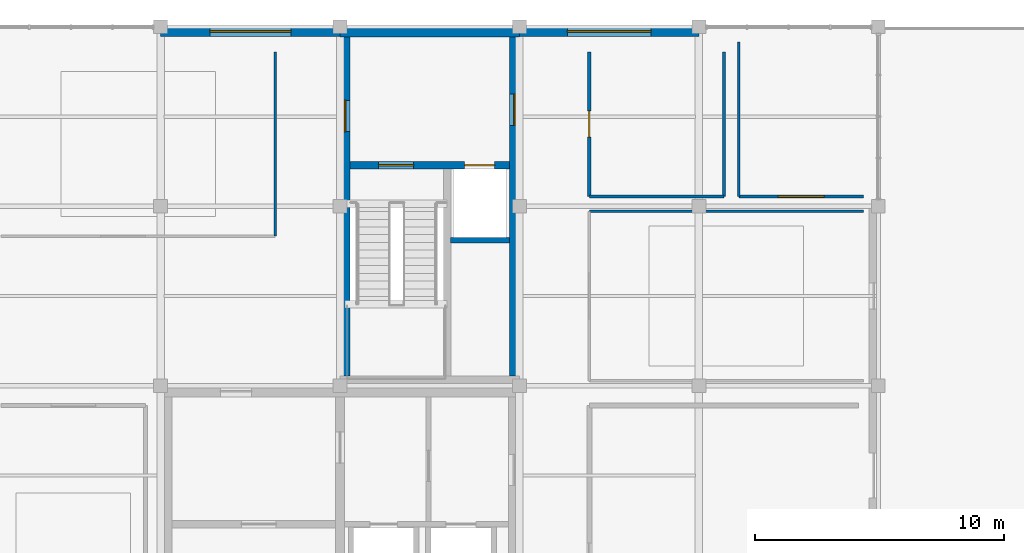
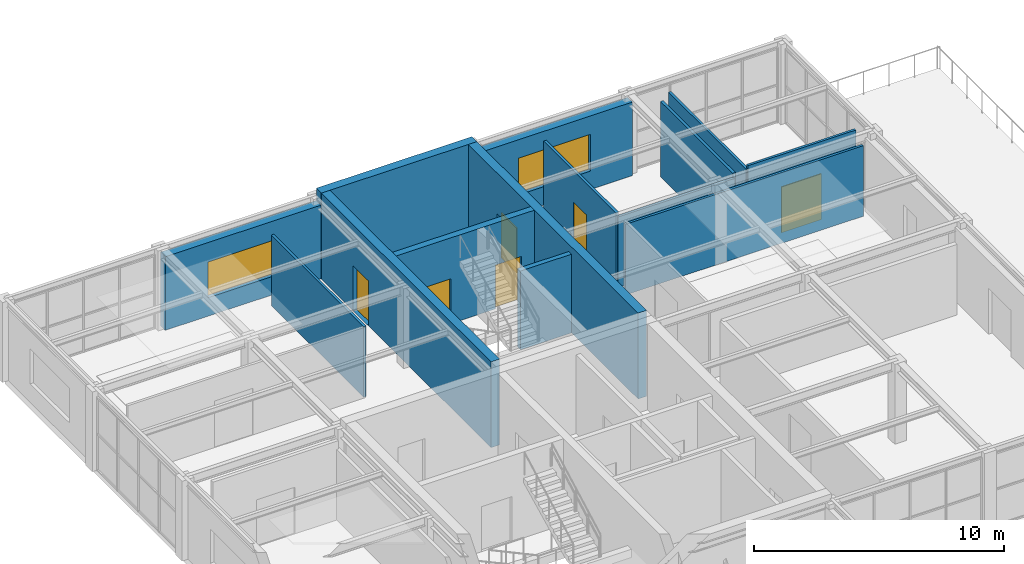
# One storey, part 23 of 30: 14 walls, 6 doors, 2 windows, 8 openings.
"""IFC4 building model written with IfcOpenShell, lengths in metres."""

from ifc_helpers import new_model, si_unit, direction, frame, frame_2d, origin, place, context, subcontext, project, spatial, rectangle, extrude, material, layer, layer_set, type_object, element, fill, save


model = new_model("IFC4")

# Units and contexts
model_context = context("Model", 3, precision=1e-05, world=origin(), true_north=direction((0.0, 1.0)))
body_context = subcontext(model_context, "Body", "Model", "MODEL_VIEW")
ifc_project = project(units=[si_unit("LENGTHUNIT", "METRE"), si_unit("AREAUNIT", "SQUARE_METRE"), si_unit("VOLUMEUNIT", "CUBIC_METRE"), si_unit("PLANEANGLEUNIT", "RADIAN"), si_unit("MASSUNIT", "GRAM", prefix="KILO")], contexts=[model_context])

# Site, building, storey
site_placement = place(None, origin())
site = spatial("IfcSite", under=ifc_project, at=site_placement, CompositionType="ELEMENT")
building_placement = place(site_placement, origin())
building = spatial("IfcBuilding", under=site, at=building_placement, Name="Leyfeld Transit Interchange", CompositionType="ELEMENT")
storey_placement = place(building_placement, frame((0.0, 0.0, 13.800048828125)))
storey = spatial("IfcBuildingStorey", under=building, at=storey_placement, Name="L03", CompositionType="ELEMENT", Elevation=13.800048828125)

# Wall, opening, window
ifc_material_1 = material(Name="Clinker brick masonry - Insulated", Category="masonry")
ifc_layer_1 = layer(ifc_material_1, 0.3798828125, Name="Clinker brick masonry - Insulated")
ifc_layer_set_1 = layer_set([ifc_layer_1], Name="Clinker brick masonry - Insulated")
wall_type_1 = type_object("IfcWallType", Name="WL-EXT-BRK-380", PredefinedType="SOLIDWALL", material=ifc_layer_set_1)
wall_1_placement = place(storey_placement, frame((7.199951171875, 122.2099609375, 0.0), z_axis=(0.0, 0.0, 1.0), x_axis=(1.0, 0.0, 0.0)))
wall_1 = element("IfcWall", 1, at=wall_1_placement, inside=storey, type_object=wall_type_1, Name="External Facade Wall EW-L03-105", PredefinedType="SOLIDWALL", context=body_context, shape_type="SweptSolid", body=[
    extrude(rectangle(XDim=7.199951171875, YDim=0.3798828125, at=frame_2d((3.60009765625, 0.0))), origin(), (0.0, 0.0, 1.0), 3.599853515625),
])
opening_1_placement = place(wall_1_placement, frame((1.97509765625, 0.0, 0.89990234375)))
opening_1 = element("IfcOpeningElement", 2, at=opening_1_placement, cuts=wall_1, Name="Opening WU-21", PredefinedType="OPENING", context=body_context, shape_type="SweptSolid", body=[
    extrude(rectangle(XDim=3.25, YDim=1.75, at=frame_2d((1.625, 0.875))), frame((0.0, 0.199951171875, 0.0), z_axis=(0.0, -1.0, 0.0), x_axis=(1.0, 0.0, 0.0)), (0.0, 0.0, 1.0), 0.39990234375),
])
ifc_material_2 = material(Name="Triple low-E insulated glazing", Category="glass")
window_type_1 = type_object("IfcWindowType", Name="WIN-UNQ-21", PartitioningType="SINGLE_PANEL", PredefinedType="WINDOW", material=ifc_material_2)
window_1_placement = place(opening_1_placement, origin())
window_1 = element("IfcWindow", 3, at=window_1_placement, inside=storey, type_object=window_type_1, Name="Facade Window L03 073", OverallHeight=1.75, OverallWidth=3.25, PartitioningType="SINGLE_PANEL", PredefinedType="WINDOW", context=body_context, shape_type="SweptSolid", body=[
    extrude(rectangle(XDim=3.25, YDim=1.75, at=frame_2d((1.625, 0.875))), frame((0.0, 0.030029296875, 0.0), z_axis=(0.0, -1.0, 0.0), x_axis=(1.0, 0.0, 0.0)), (0.0, 0.0, 1.0), 0.06005859375),
])
fill(opening_1, window_1)

wall_2_placement = place(storey_placement, frame((21.60009765625, 122.2099609375, 0.0), z_axis=(0.0, 0.0, 1.0), x_axis=(1.0, 0.0, 0.0)))
wall_2 = element("IfcWall", 4, at=wall_2_placement, inside=storey, type_object=wall_type_1, Name="External Facade Wall EW-L03-106", PredefinedType="SOLIDWALL", context=body_context, shape_type="SweptSolid", body=[
    extrude(rectangle(XDim=7.199951171875, YDim=0.3798828125, at=frame_2d((3.60009765625, 0.0))), origin(), (0.0, 0.0, 1.0), 3.599853515625),
])
opening_2_placement = place(wall_2_placement, frame((1.925048828125, 0.0, 0.89990234375)))
opening_2 = element("IfcOpeningElement", 5, at=opening_2_placement, cuts=wall_2, Name="Opening WU-22", PredefinedType="OPENING", context=body_context, shape_type="SweptSolid", body=[
    extrude(rectangle(XDim=3.35009765625, YDim=1.800048828125, at=frame_2d((1.675048828125, 0.89990234375))), frame((0.0, 0.199951171875, 0.0), z_axis=(0.0, -1.0, 0.0), x_axis=(1.0, 0.0, 0.0)), (0.0, 0.0, 1.0), 0.39990234375),
])
window_type_2 = type_object("IfcWindowType", Name="WIN-UNQ-22", PartitioningType="SINGLE_PANEL", PredefinedType="WINDOW", material=ifc_material_2)
window_2_placement = place(opening_2_placement, origin())
window_2 = element("IfcWindow", 6, at=window_2_placement, inside=storey, type_object=window_type_2, Name="Facade Window L03 074", OverallHeight=1.800048828125, OverallWidth=3.35009765625, PartitioningType="SINGLE_PANEL", PredefinedType="WINDOW", context=body_context, shape_type="SweptSolid", body=[
    extrude(rectangle(XDim=3.35009765625, YDim=1.800048828125, at=frame_2d((1.675048828125, 0.89990234375))), frame((0.0, 0.030029296875, 0.0), z_axis=(0.0, -1.0, 0.0), x_axis=(1.0, 0.0, 0.0)), (0.0, 0.0, 1.0), 0.06005859375),
])
fill(opening_2, window_2)

# Walls
ifc_material_3 = material(Name="Gypsum plasterboard acoustic stud", Category="gypsum")
ifc_layer_2 = layer(ifc_material_3, 0.114990234375, Name="Gypsum plasterboard acoustic stud")
ifc_layer_set_2 = layer_set([ifc_layer_2], Name="Gypsum plasterboard acoustic stud")
wall_type_2 = type_object("IfcWallType", Name="WL-INT-OFF-115", PredefinedType="PARTITIONING", material=ifc_layer_set_2)
wall_3_placement = place(storey_placement, frame((11.800048828125, 121.39990234375, 0.0), z_axis=(0.0, 0.0, 1.0), x_axis=(0.0, -1.0, 0.0)))
element("IfcWall", 7, at=wall_3_placement, inside=storey, type_object=wall_type_2, Name="Interior Partition L03-SUP-02 E", PredefinedType="PARTITIONING", context=body_context, shape_type="SweptSolid", body=[
    extrude(rectangle(XDim=7.39990234375, YDim=0.114990234375, at=frame_2d((3.699951171875, 0.0))), origin(), (0.0, 0.0, 1.0), 3.449951171875),
])
wall_4_placement = place(storey_placement, frame((24.39990234375, 115.0, 0.0), z_axis=(0.0, 0.0, 1.0), x_axis=(1.0, 0.0, 0.0)))
element("IfcWall", 8, at=wall_4_placement, inside=storey, type_object=wall_type_2, Name="Interior Partition L03-OFF-V5 N", PredefinedType="PARTITIONING", context=body_context, shape_type="SweptSolid", body=[
    extrude(rectangle(XDim=11.0, YDim=0.114990234375, at=frame_2d((5.5, 0.0))), origin(), (0.0, 0.0, 1.0), 3.449951171875),
])

# Wall, opening, door
wall_5_placement = place(storey_placement, frame((35.39990234375, 115.60009765625, 0.0), z_axis=(0.0, 0.0, 1.0), x_axis=(-1.0, 0.0, 0.0)))
wall_5 = element("IfcWall", 9, at=wall_5_placement, inside=storey, type_object=wall_type_2, Name="Interior Partition L03-ARC-V5 S", PredefinedType="PARTITIONING", context=body_context, shape_type="SweptSolid", body=[
    extrude(rectangle(XDim=5.0, YDim=0.114990234375, at=frame_2d((2.5, 0.0))), origin(), (0.0, 0.0, 1.0), 3.849853515625),
])
opening_3_placement = place(wall_5_placement, frame((1.580078125, 0.0, 0.0)))
opening_3 = element("IfcOpeningElement", 10, at=opening_3_placement, cuts=wall_5, Name="Opening DU-20", PredefinedType="OPENING", context=body_context, shape_type="SweptSolid", body=[
    extrude(rectangle(XDim=1.840087890625, YDim=2.239990234375, at=frame_2d((0.919921875, 1.1201171875))), frame((0.0, 0.0673828125, 0.0), z_axis=(0.0, -1.0, 0.0), x_axis=(1.0, 0.0, 0.0)), (0.0, 0.0, 1.0), 0.135009765625),
])
ifc_material_4 = material(Name="Austrian larch glulam GL28h", Category="wood")
door_type_1 = type_object("IfcDoorType", Name="DR-UNQ-20", OperationType="NOTDEFINED", PredefinedType="DOOR", material=ifc_material_4)
door_1_placement = place(opening_3_placement, origin())
door_1 = element("IfcDoor", 11, at=door_1_placement, inside=storey, type_object=door_type_1, Name="DR-L03-ARC-V5", OperationType="DOUBLE_DOOR_SINGLE_SWING", OverallHeight=2.239990234375, OverallWidth=1.840087890625, PredefinedType="DOOR", context=body_context, shape_type="SweptSolid", body=[
    extrude(rectangle(XDim=1.840087890625, YDim=2.239990234375, at=frame_2d((0.919921875, 1.1201171875))), frame((0.0, 0.02490234375, 0.0), z_axis=(0.0, -1.0, 0.0), x_axis=(1.0, 0.0, 0.0)), (0.0, 0.0, 1.0), 0.050048828125),
])
fill(opening_3, door_1)

# Walls
wall_6_placement = place(storey_placement, frame((30.39990234375, 115.60009765625, 0.0), z_axis=(0.0, 0.0, 1.0), x_axis=(0.0, 1.0, 0.0)))
element("IfcWall", 12, at=wall_6_placement, inside=storey, type_object=wall_type_2, Name="Interior Partition L03-ARC-V5 W", PredefinedType="PARTITIONING", context=body_context, shape_type="SweptSolid", body=[
    extrude(rectangle(XDim=6.199951171875, YDim=0.114990234375, at=frame_2d((3.10009765625, 0.0))), origin(), (0.0, 0.0, 1.0), 3.679931640625),
])
ifc_material_5 = material(Name="Concrete C35/45", Category="concrete")
ifc_layer_3 = layer(ifc_material_5, 0.219970703125, Name="Concrete C35/45")
ifc_layer_set_3 = layer_set([ifc_layer_3], Name="Concrete C35/45")
wall_type_3 = type_object("IfcWallType", Name="WL-INT-SHF-220", PredefinedType="PARTITIONING", material=ifc_layer_set_3)
wall_7_placement = place(storey_placement, frame((18.840087890625, 113.840087890625, 0.0), z_axis=(0.0, 0.0, 1.0), x_axis=(1.0, 0.0, 0.0)))
element("IfcWall", 13, at=wall_7_placement, inside=storey, type_object=wall_type_3, Name="Core K2 Lift PL-2 Shaft Back Wall L03", PredefinedType="PARTITIONING", context=body_context, shape_type="SweptSolid", body=[
    extrude(rectangle(XDim=2.35986328125, YDim=0.219970703125, at=frame_2d((1.179931640625, 0.0))), origin(), (0.0, 0.0, 1.0), 3.849853515625),
])
ifc_material_6 = material(Name="Autoclaved aerated blockwork G4", Category="masonry")
ifc_layer_4 = layer(ifc_material_6, 0.125, Name="Autoclaved aerated blockwork G4")
ifc_layer_set_4 = layer_set([ifc_layer_4], Name="Autoclaved aerated blockwork G4")
wall_type_4 = type_object("IfcWallType", Name="WL-INT-WC-125", PredefinedType="PARTITIONING", material=ifc_layer_set_4)
wall_8_placement = place(storey_placement, frame((29.800048828125, 115.60009765625, 0.0), z_axis=(0.0, 0.0, 1.0), x_axis=(-1.0, 0.0, 0.0)))
element("IfcWall", 14, at=wall_8_placement, inside=storey, type_object=wall_type_4, Name="Interior Partition L03-WCA-03 S", PredefinedType="PARTITIONING", context=body_context, shape_type="SweptSolid", body=[
    extrude(rectangle(XDim=5.400146484375, YDim=0.125, at=frame_2d((2.7001953125, 0.0))), origin(), (0.0, 0.0, 1.0), 3.449951171875),
])
wall_9_placement = place(storey_placement, frame((29.800048828125, 121.39990234375, 0.0), z_axis=(0.0, 0.0, 1.0), x_axis=(0.0, -1.0, 0.0)))
element("IfcWall", 15, at=wall_9_placement, inside=storey, type_object=wall_type_4, Name="Interior Partition L03-WCA-03 E", PredefinedType="PARTITIONING", context=body_context, shape_type="SweptSolid", body=[
    extrude(rectangle(XDim=5.7998046875, YDim=0.125, at=frame_2d((2.89990234375, 0.0))), origin(), (0.0, 0.0, 1.0), 3.679931640625),
])

# Wall, opening, door
wall_10_placement = place(storey_placement, frame((24.39990234375, 115.60009765625, 0.0), z_axis=(0.0, 0.0, 1.0), x_axis=(0.0, 1.0, 0.0)))
wall_10 = element("IfcWall", 16, at=wall_10_placement, inside=storey, type_object=wall_type_4, Name="Interior Partition L03-WCA-03 W", PredefinedType="PARTITIONING", context=body_context, shape_type="SweptSolid", body=[
    extrude(rectangle(XDim=5.7998046875, YDim=0.125, at=frame_2d((2.89990234375, 0.0))), origin(), (0.0, 0.0, 1.0), 3.6298828125),
])
opening_4_placement = place(wall_10_placement, frame((2.375, 0.0, 0.0)))
opening_4 = element("IfcOpeningElement", 17, at=opening_4_placement, cuts=wall_10, Name="Opening DI-09", PredefinedType="OPENING", context=body_context, shape_type="SweptSolid", body=[
    extrude(rectangle(XDim=1.050048828125, YDim=2.10009765625, at=frame_2d((0.52490234375, 1.050048828125))), frame((0.0, 0.072509765625, 0.0), z_axis=(0.0, -1.0, 0.0), x_axis=(1.0, 0.0, 0.0)), (0.0, 0.0, 1.0), 0.14501953125),
])
door_type_2 = type_object("IfcDoorType", Name="DR-WCA-1050x2100", OperationType="NOTDEFINED", PredefinedType="DOOR", material=ifc_material_4)
door_2_placement = place(opening_4_placement, origin())
door_2 = element("IfcDoor", 18, at=door_2_placement, inside=storey, type_object=door_type_2, Name="DR-L03-WCA-03", OperationType="SINGLE_SWING_LEFT", OverallHeight=2.10009765625, OverallWidth=1.050048828125, PredefinedType="DOOR", context=body_context, shape_type="SweptSolid", body=[
    extrude(rectangle(XDim=1.050048828125, YDim=2.10009765625, at=frame_2d((0.52490234375, 1.050048828125))), frame((0.0, 0.02490234375, 0.0), z_axis=(0.0, -1.0, 0.0), x_axis=(1.0, 0.0, 0.0)), (0.0, 0.0, 1.0), 0.050048828125),
])
fill(opening_4, door_2)

# Wall, openings, doors
ifc_layer_5 = layer(ifc_material_5, 0.300048828125, Name="Concrete C35/45")
ifc_layer_set_5 = layer_set([ifc_layer_5], Name="Concrete C35/45")
wall_type_5 = type_object("IfcWallType", Name="WL-SH-300", PredefinedType="SHEAR", material=ifc_layer_set_5)
wall_11_placement = place(storey_placement, frame((14.800048828125, 116.85009765625, 0.0), z_axis=(0.0, 0.0, 1.0), x_axis=(1.0, 0.0, 0.0)))
wall_11 = element("IfcWall", 19, at=wall_11_placement, inside=storey, type_object=wall_type_5, Name="Core K2 Shear Wall STRN L03", PredefinedType="SHEAR", context=body_context, shape_type="SweptSolid", body=[
    extrude(rectangle(XDim=6.39990234375, YDim=0.300048828125, at=frame_2d((3.199951171875, 0.0))), origin(), (0.0, 0.0, 1.0), 4.199951171875),
])
opening_5_placement = place(wall_11_placement, frame((1.14990234375, 0.0, 0.0)))
opening_5 = element("IfcOpeningElement", 20, at=opening_5_placement, cuts=wall_11, Name="Opening DI-01", PredefinedType="OPENING", context=body_context, shape_type="SweptSolid", body=[
    extrude(rectangle(XDim=1.39990234375, YDim=2.199951171875, at=frame_2d((0.699951171875, 1.10009765625))), frame((0.0, 0.159912109375, 0.0), z_axis=(0.0, -1.0, 0.0), x_axis=(1.0, 0.0, 0.0)), (0.0, 0.0, 1.0), 0.320068359375),
])
opening_6_placement = place(wall_11_placement, frame((4.60009765625, 0.0, 0.0)))
opening_6 = element("IfcOpeningElement", 21, at=opening_6_placement, cuts=wall_11, Name="Opening LD-02", PredefinedType="OPENING", context=body_context, shape_type="SweptSolid", body=[
    extrude(rectangle(XDim=1.199951171875, YDim=2.14990234375, at=frame_2d((0.60009765625, 1.074951171875))), frame((0.0, 0.159912109375, 0.0), z_axis=(0.0, -1.0, 0.0), x_axis=(1.0, 0.0, 0.0)), (0.0, 0.0, 1.0), 0.320068359375),
])
ifc_material_7 = material(Name="Stainless steel EN 1.4404", Category="steel")
door_type_3 = type_object("IfcDoorType", Name="DR-LD-PAS-1200x2150", OperationType="NOTDEFINED", PredefinedType="DOOR", material=ifc_material_7)
door_3_placement = place(opening_6_placement, origin())
door_3 = element("IfcDoor", 22, at=door_3_placement, inside=storey, type_object=door_type_3, Name="LD-PL-2-L03", OperationType="DOUBLE_DOOR_SLIDING", OverallHeight=2.14990234375, OverallWidth=1.199951171875, PredefinedType="DOOR", context=body_context, shape_type="SweptSolid", body=[
    extrude(rectangle(XDim=1.199951171875, YDim=2.14990234375, at=frame_2d((0.60009765625, 1.074951171875))), frame((0.0, 0.02490234375, 0.0), z_axis=(0.0, -1.0, 0.0), x_axis=(1.0, 0.0, 0.0)), (0.0, 0.0, 1.0), 0.050048828125),
])
fill(opening_6, door_3)
ifc_material_8 = material(Name="Galvanised steel S275JR", Category="steel")
door_type_4 = type_object("IfcDoorType", Name="DR-STR-1400x2200", OperationType="NOTDEFINED", PredefinedType="DOOR", material=ifc_material_8)
door_4_placement = place(opening_5_placement, origin())
door_4 = element("IfcDoor", 23, at=door_4_placement, inside=storey, type_object=door_type_4, Name="DR-STR-INT-K2-L03", OperationType="SINGLE_SWING_RIGHT", OverallHeight=2.199951171875, OverallWidth=1.39990234375, PredefinedType="DOOR", context=body_context, shape_type="SweptSolid", body=[
    extrude(rectangle(XDim=1.39990234375, YDim=2.199951171875, at=frame_2d((0.699951171875, 1.10009765625))), frame((0.0, 0.02490234375, 0.0), z_axis=(0.0, -1.0, 0.0), x_axis=(1.0, 0.0, 0.0)), (0.0, 0.0, 1.0), 0.050048828125),
])
fill(opening_5, door_4)

# Wall
ifc_layer_6 = layer(ifc_material_5, 0.39990234375, Name="Concrete C35/45")
ifc_layer_set_6 = layer_set([ifc_layer_6], Name="Concrete C35/45")
wall_type_6 = type_object("IfcWallType", Name="WL-SH-400", PredefinedType="SHEAR", material=ifc_layer_set_6)
wall_12_placement = place(storey_placement, frame((14.39990234375, 122.199951171875, 0.0), z_axis=(0.0, 0.0, 1.0), x_axis=(1.0, 0.0, 0.0)))
element("IfcWall", 24, at=wall_12_placement, inside=storey, type_object=wall_type_6, Name="Core K2 Shear Wall N L03", PredefinedType="SHEAR", context=body_context, shape_type="SweptSolid", body=[
    extrude(rectangle(XDim=7.2001953125, YDim=0.39990234375, at=frame_2d((3.60009765625, 0.0))), origin(), (0.0, 0.0, 1.0), 4.199951171875),
])

# Wall, opening, door
wall_13_placement = place(storey_placement, frame((21.39990234375, 122.0, 0.0), z_axis=(0.0, 0.0, 1.0), x_axis=(0.0, -1.0, 0.0)))
wall_13 = element("IfcWall", 25, at=wall_13_placement, inside=storey, type_object=wall_type_6, Name="Core K2 Shear Wall E L03", PredefinedType="SHEAR", context=body_context, shape_type="SweptSolid", body=[
    extrude(rectangle(XDim=13.60009765625, YDim=0.39990234375, at=frame_2d((6.800048828125, 0.0))), origin(), (0.0, 0.0, 1.0), 4.199951171875),
])
opening_7_placement = place(wall_13_placement, frame((2.300048828125, 0.0, 0.0)))
opening_7 = element("IfcOpeningElement", 26, at=opening_7_placement, cuts=wall_13, Name="Opening DI-02", PredefinedType="OPENING", context=body_context, shape_type="SweptSolid", body=[
    extrude(rectangle(XDim=1.25, YDim=2.199951171875, at=frame_2d((0.625, 1.10009765625))), frame((0.0, 0.2099609375, 0.0), z_axis=(0.0, -1.0, 0.0), x_axis=(1.0, 0.0, 0.0)), (0.0, 0.0, 1.0), 0.419921875),
])
door_type_5 = type_object("IfcDoorType", Name="DR-FFL-1250x2200", OperationType="NOTDEFINED", PredefinedType="DOOR", material=ifc_material_8)
door_5_placement = place(opening_7_placement, origin())
door_5 = element("IfcDoor", 27, at=door_5_placement, inside=storey, type_object=door_type_5, Name="DR-CORE-OUT-K2-L03-E", OperationType="SINGLE_SWING_RIGHT", OverallHeight=2.199951171875, OverallWidth=1.25, PredefinedType="DOOR", context=body_context, shape_type="SweptSolid", body=[
    extrude(rectangle(XDim=1.25, YDim=2.199951171875, at=frame_2d((0.625, 1.10009765625))), frame((0.0, 0.02490234375, 0.0), z_axis=(0.0, -1.0, 0.0), x_axis=(1.0, 0.0, 0.0)), (0.0, 0.0, 1.0), 0.050048828125),
])
fill(opening_7, door_5)

wall_14_placement = place(storey_placement, frame((14.60009765625, 108.39990234375, 0.0), z_axis=(0.0, 0.0, 1.0), x_axis=(0.0, 1.0, 0.0)))
wall_14 = element("IfcWall", 28, at=wall_14_placement, inside=storey, type_object=wall_type_6, Name="Core K2 Shear Wall W L03", PredefinedType="SHEAR", context=body_context, shape_type="SweptSolid", body=[
    extrude(rectangle(XDim=13.60009765625, YDim=0.39990234375, at=frame_2d((6.800048828125, 0.0))), origin(), (0.0, 0.0, 1.0), 4.199951171875),
])
opening_8_placement = place(wall_14_placement, frame((9.800048828125, 0.0, 0.0)))
opening_8 = element("IfcOpeningElement", 29, at=opening_8_placement, cuts=wall_14, Name="Opening DI-02", PredefinedType="OPENING", context=body_context, shape_type="SweptSolid", body=[
    extrude(rectangle(XDim=1.25, YDim=2.199951171875, at=frame_2d((0.625, 1.10009765625))), frame((0.0, 0.2099609375, 0.0), z_axis=(0.0, -1.0, 0.0), x_axis=(1.0, 0.0, 0.0)), (0.0, 0.0, 1.0), 0.419921875),
])
door_6_placement = place(opening_8_placement, origin())
door_6 = element("IfcDoor", 30, at=door_6_placement, inside=storey, type_object=door_type_5, Name="DR-CORE-OUT-K2-L03-W", OperationType="SINGLE_SWING_LEFT", OverallHeight=2.199951171875, OverallWidth=1.25, PredefinedType="DOOR", context=body_context, shape_type="SweptSolid", body=[
    extrude(rectangle(XDim=1.25, YDim=2.199951171875, at=frame_2d((0.625, 1.10009765625))), frame((0.0, 0.02490234375, 0.0), z_axis=(0.0, -1.0, 0.0), x_axis=(1.0, 0.0, 0.0)), (0.0, 0.0, 1.0), 0.050048828125),
])
fill(opening_8, door_6)

save(model, "model.ifc")
